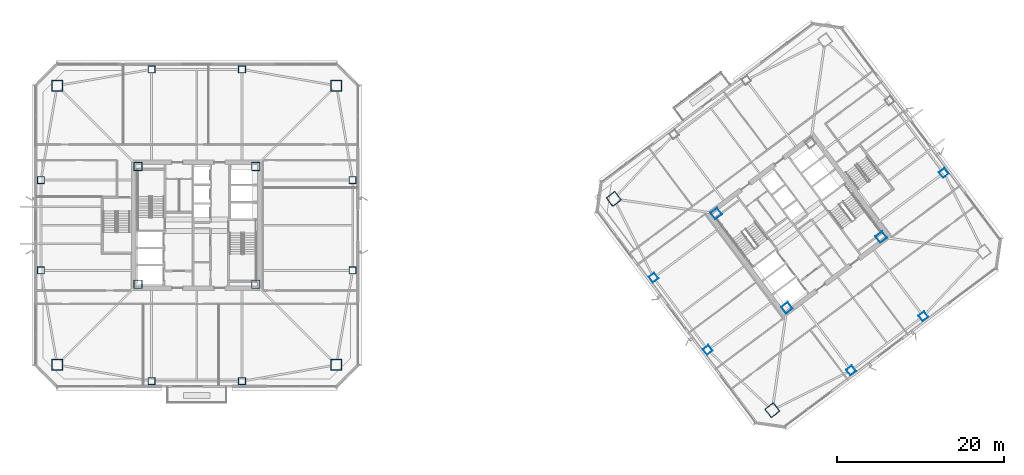
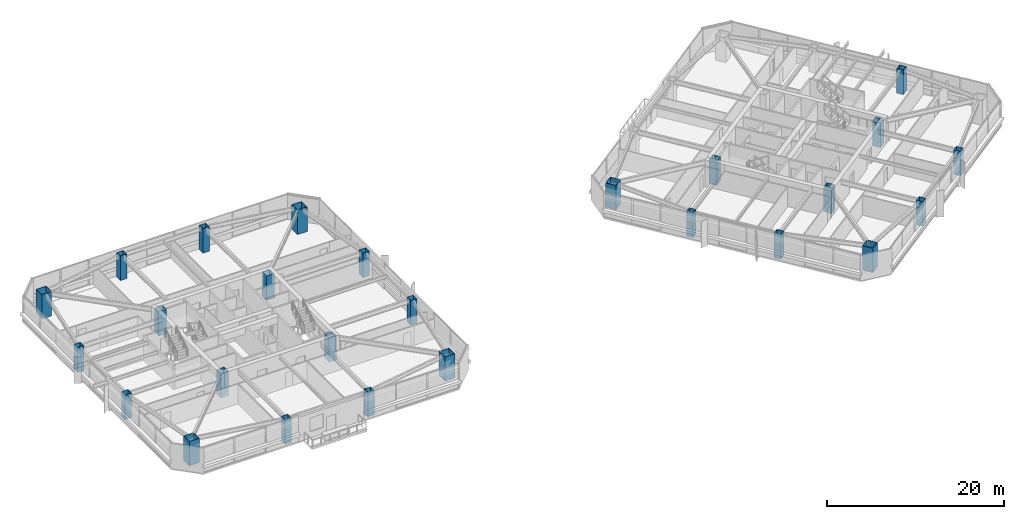
# One storey, part 1 of 48: 26 columns.
"""IFC4 building model written with IfcOpenShell, lengths in metres."""

from ifc_helpers import new_model, si_unit, direction, frame, origin, origin_2d, place, context, subcontext, project, spatial, hollow_rectangle, extrude, material, material_profile, profile_set, type_object, element, save


model = new_model("IFC4")

# Units and contexts
model_context = context("Model", 3, precision=1e-05, world=origin(), true_north=direction((0.0, 1.0)))
body_context = subcontext(model_context, "Body", "Model", "MODEL_VIEW")
ifc_project = project(units=[si_unit("LENGTHUNIT", "METRE"), si_unit("AREAUNIT", "SQUARE_METRE"), si_unit("VOLUMEUNIT", "CUBIC_METRE"), si_unit("PLANEANGLEUNIT", "RADIAN"), si_unit("MASSUNIT", "GRAM", prefix="KILO")], contexts=[model_context])

# Site, building, storey
site_placement = place(None, origin())
site = spatial("IfcSite", under=ifc_project, at=site_placement, CompositionType="ELEMENT")
building_placement = place(site_placement, origin())
building = spatial("IfcBuilding", under=site, at=building_placement, Name="Tashvorn Skyway Center", CompositionType="ELEMENT")
storey_placement = place(building_placement, frame((0.0, 0.0, 125.050048828125)))
storey = spatial("IfcBuildingStorey", under=building, at=storey_placement, Name="L33", CompositionType="ELEMENT", Elevation=125.050048828125)

# Columns
ifc_material = material(Name="Steel ASTM A572 Grade 50", Category="steel")
ifc_material_profile_1 = material_profile(ifc_material, hollow_rectangle(XDim=1.0, YDim=1.0, WallThickness=0.0400390625, at=origin_2d()), Name="BOX1000x1000x40")
ifc_profile_set_1 = profile_set([ifc_material_profile_1], Name="Steel ASTM A572 Grade 50")
column_type_1 = type_object("IfcColumnType", Name="COL-BOX1000x1000x40", PredefinedType="COLUMN", material=ifc_profile_set_1)
for number, where, z_axis, x_axis, name in (
    (1, (34.949951171875, 24.949951171875, 0.0), (0.0, 0.0, 1.0), (1.0, 0.0, 0.0), "Tower 1 L33 Core Corner Column CC-SW"),
    (2, (49.050048828125, 24.949951171875, 0.0), (0.0, 0.0, 1.0), (1.0, 0.0, 0.0), "Tower 1 L33 Core Corner Column CC-SE"),
    (3, (49.050048828125, 39.050048828125, 0.0), (0.0, 0.0, 1.0), (1.0, 0.0, 0.0), "Tower 1 L33 Core Corner Column CC-NE"),
    (4, (34.949951171875, 39.050048828125, 0.0), (0.0, 0.0, 1.0), (1.0, 0.0, 0.0), "Tower 1 L33 Core Corner Column CC-NW"),
    (5, (112.590087890625, 22.1298828125, 0.0), (0.0, 0.0, 1.0), (0.799999996291, 0.600000004945, 0.0), "Tower 2 L33 Core Corner Column CC-SW"),
    (6, (123.8701171875, 30.590087890625, 0.0), (0.0, 0.0, 1.0), (0.799999996291, 0.600000004945, 0.0), "Tower 2 L33 Core Corner Column CC-SE"),
    (7, (104.1298828125, 33.409912109375, 0.0), (0.0, 0.0, 1.0), (0.799999996291, 0.600000004945, 0.0), "Tower 2 L33 Core Corner Column CC-NW"),
):
    element("IfcColumn", number, at=place(storey_placement, frame(where, z_axis=z_axis, x_axis=x_axis)), inside=storey, type_object=column_type_1, Name=name, PredefinedType="COLUMN", context=body_context, shape_type="SweptSolid", body=[
        extrude(hollow_rectangle(XDim=1.0, YDim=1.0, WallThickness=0.0400390625, at=origin_2d()), origin(), (0.0, 0.0, 1.0), 3.369873046875),
    ])
ifc_material_profile_2 = material_profile(ifc_material, hollow_rectangle(XDim=1.300048828125, YDim=1.300048828125, WallThickness=0.050048828125, at=origin_2d()), Name="BOX1300x1300x50")
ifc_profile_set_2 = profile_set([ifc_material_profile_2], Name="Steel ASTM A572 Grade 50")
column_type_2 = type_object("IfcColumnType", Name="COL-BOX1300x1300x50", PredefinedType="COLUMN", material=ifc_profile_set_2)
for number, where, z_axis, x_axis, name in (
    (8, (25.300048828125, 15.300048828125, 0.0), (0.0, 0.0, 1.0), (1.0, 0.0, 0.0), "Tower 1 L33 Mega-Column MC-SW"),
    (9, (58.699951171875, 15.300048828125, 0.0), (0.0, 0.0, 1.0), (1.0, 0.0, 0.0), "Tower 1 L33 Mega-Column MC-SE"),
    (10, (58.699951171875, 48.699951171875, 0.0), (0.0, 0.0, 1.0), (1.0, 0.0, 0.0), "Tower 1 L33 Mega-Column MC-NE"),
    (11, (25.300048828125, 48.699951171875, 0.0), (0.0, 0.0, 1.0), (1.0, 0.0, 0.0), "Tower 1 L33 Mega-Column MC-NW"),
    (12, (110.840087890625, 9.8798828125, 0.0), (0.0, 0.0, 1.0), (0.799999996291, 0.600000004945, 0.0), "Tower 2 L33 Mega-Column MC-SW"),
    (13, (91.8798828125, 35.159912109375, 0.0), (0.0, 0.0, 1.0), (0.799999996291, 0.600000004945, 0.0), "Tower 2 L33 Mega-Column MC-NW"),
):
    element("IfcColumn", number, at=place(storey_placement, frame(where, z_axis=z_axis, x_axis=x_axis)), inside=storey, type_object=column_type_2, Name=name, PredefinedType="COLUMN", context=body_context, shape_type="SweptSolid", body=[
        extrude(hollow_rectangle(XDim=1.300048828125, YDim=1.300048828125, WallThickness=0.050048828125, at=origin_2d()), origin(), (0.0, 0.0, 1.0), 3.369873046875),
    ])
ifc_material_profile_3 = material_profile(ifc_material, hollow_rectangle(XDim=0.85009765625, YDim=0.85009765625, WallThickness=0.034912109375, at=origin_2d()), Name="BOX850x850x35")
ifc_profile_set_3 = profile_set([ifc_material_profile_3], Name="Steel ASTM A572 Grade 50")
column_type_3 = type_object("IfcColumnType", Name="COL-BOX850x850x35", PredefinedType="COLUMN", material=ifc_profile_set_3)
for number, where, z_axis, x_axis, name in (
    (14, (36.60009765625, 13.35009765625, 0.0), (0.0, 0.0, 1.0), (1.0, 0.0, 0.0), "Tower 1 L33 Perimeter Column FC-S1"),
    (15, (47.39990234375, 13.35009765625, 0.0), (0.0, 0.0, 1.0), (1.0, 0.0, 0.0), "Tower 1 L33 Perimeter Column FC-S2"),
    (16, (60.64990234375, 26.60009765625, 0.0), (0.0, 0.0, 1.0), (1.0, 0.0, 0.0), "Tower 1 L33 Perimeter Column FC-E1"),
    (17, (60.64990234375, 37.39990234375, 0.0), (0.0, 0.0, 1.0), (1.0, 0.0, 0.0), "Tower 1 L33 Perimeter Column FC-E2"),
    (18, (47.39990234375, 50.64990234375, 0.0), (0.0, 0.0, 1.0), (1.0, 0.0, 0.0), "Tower 1 L33 Perimeter Column FC-N1"),
    (19, (36.60009765625, 50.64990234375, 0.0), (0.0, 0.0, 1.0), (1.0, 0.0, 0.0), "Tower 1 L33 Perimeter Column FC-N2"),
    (20, (23.35009765625, 37.39990234375, 0.0), (0.0, 0.0, 1.0), (1.0, 0.0, 0.0), "Tower 1 L33 Perimeter Column FC-W1"),
    (21, (23.35009765625, 26.60009765625, 0.0), (0.0, 0.0, 1.0), (1.0, 0.0, 0.0), "Tower 1 L33 Perimeter Column FC-W2"),
    (22, (120.27001953125, 14.639892578125, 0.0), (0.0, 0.0, 1.0), (0.799999996291, 0.600000004945, 0.0), "Tower 2 L33 Perimeter Column FC-S1"),
    (23, (128.909912109375, 21.1201171875, 0.0), (0.0, 0.0, 1.0), (0.799999996291, 0.600000004945, 0.0), "Tower 2 L33 Perimeter Column FC-S2"),
    (24, (131.360107421875, 38.27001953125, 0.0), (0.0, 0.0, 1.0), (0.799999996291, 0.600000004945, 0.0), "Tower 2 L33 Perimeter Column FC-E1"),
    (25, (96.639892578125, 25.72998046875, 0.0), (0.0, 0.0, 1.0), (0.799999996291, 0.600000004945, 0.0), "Tower 2 L33 Perimeter Column FC-W1"),
    (26, (103.1201171875, 17.090087890625, 0.0), (0.0, 0.0, 1.0), (0.799999996291, 0.600000004945, 0.0), "Tower 2 L33 Perimeter Column FC-W2"),
):
    element("IfcColumn", number, at=place(storey_placement, frame(where, z_axis=z_axis, x_axis=x_axis)), inside=storey, type_object=column_type_3, Name=name, PredefinedType="COLUMN", context=body_context, shape_type="SweptSolid", body=[
        extrude(hollow_rectangle(XDim=0.85009765625, YDim=0.85009765625, WallThickness=0.034912109375, at=origin_2d()), origin(), (0.0, 0.0, 1.0), 3.369873046875),
    ])

save(model, "model.ifc")
